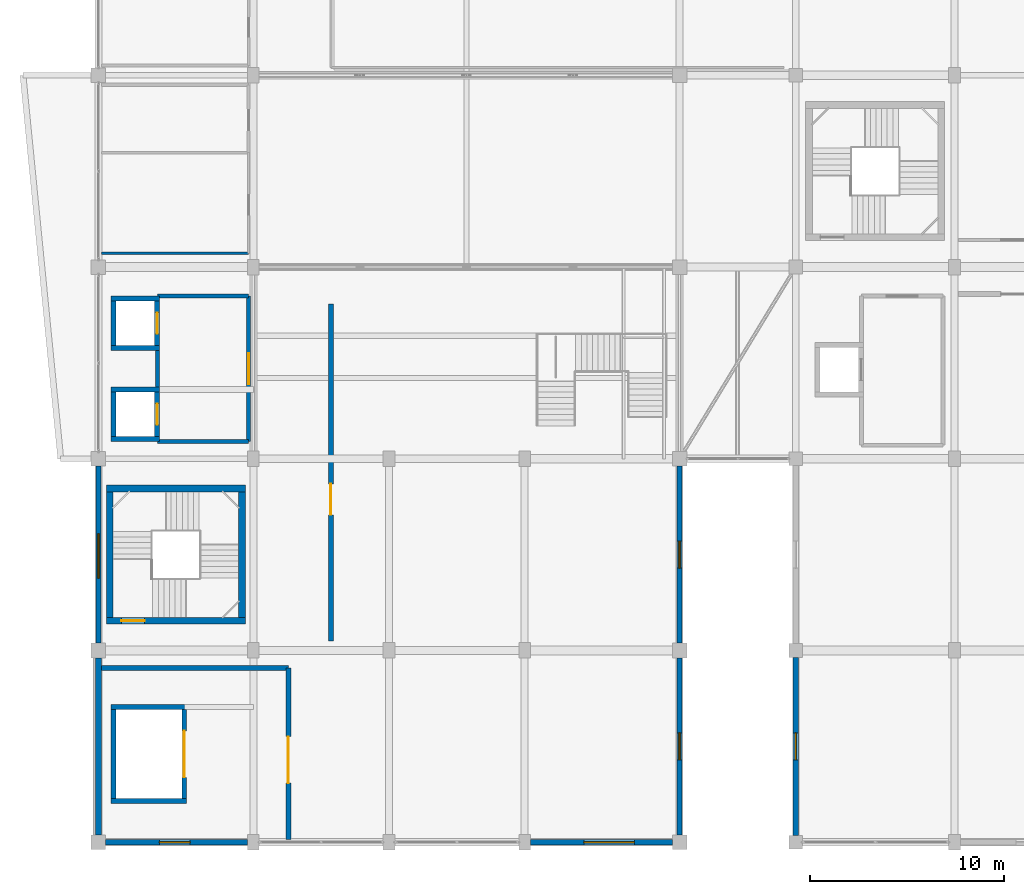
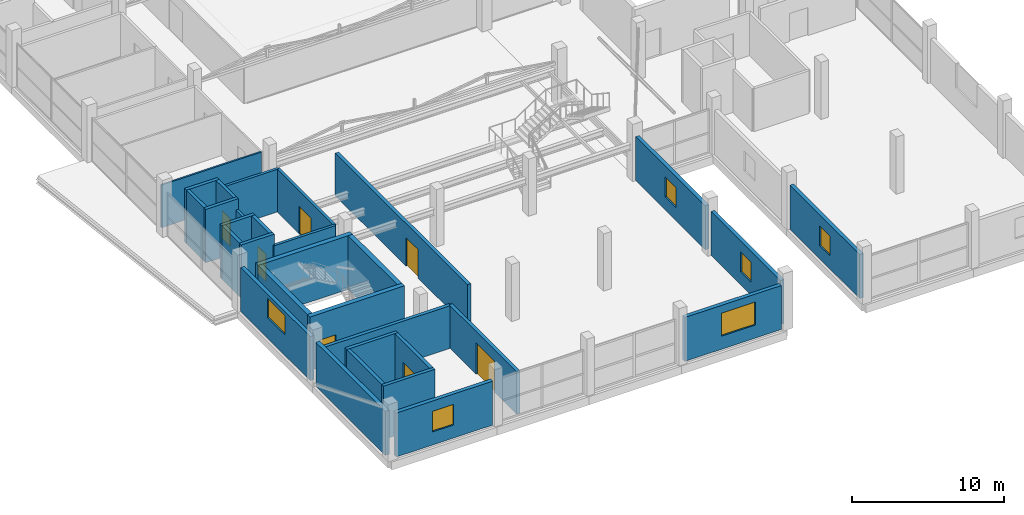
# One storey, part 41 of 55: 31 walls, 7 doors, 6 windows, 13 openings.
"""IFC4 building model written with IfcOpenShell, lengths in metres."""

from ifc_helpers import new_model, si_unit, direction, frame, frame_2d, origin, place, context, subcontext, project, spatial, rectangle, extrude, material, layer, layer_set, type_object, element, fill, save


model = new_model("IFC4")

# Units and contexts
model_context = context("Model", 3, precision=1e-05, world=origin(), true_north=direction((0.0, 1.0)))
body_context = subcontext(model_context, "Body", "Model", "MODEL_VIEW")
ifc_project = project(units=[si_unit("LENGTHUNIT", "METRE"), si_unit("AREAUNIT", "SQUARE_METRE"), si_unit("VOLUMEUNIT", "CUBIC_METRE"), si_unit("PLANEANGLEUNIT", "RADIAN"), si_unit("MASSUNIT", "GRAM", prefix="KILO")], contexts=[model_context])

# Site, building, storey
site_placement = place(None, origin())
site = spatial("IfcSite", under=ifc_project, at=site_placement, CompositionType="ELEMENT")
building_placement = place(site_placement, origin())
building = spatial("IfcBuilding", under=site, at=building_placement, Name="Sillaruma Civic Art Gallery", CompositionType="ELEMENT")
storey_placement = place(building_placement, frame((0.0, 0.0, 37.739990234375)))
storey = spatial("IfcBuildingStorey", under=building, at=storey_placement, Name="L07", CompositionType="ELEMENT", Elevation=37.739990234375)

# Wall, opening, door
ifc_material_1 = material(Name="Concrete H40 (40 MPa)", Category="concrete")
ifc_layer_1 = layer(ifc_material_1, 0.35009765625, Name="Concrete H40 (40 MPa)")
ifc_layer_set_1 = layer_set([ifc_layer_1], Name="Concrete H40 (40 MPa)")
wall_type_1 = type_object("IfcWallType", Name="WAL-CORE-350", PredefinedType="SHEAR", material=ifc_layer_set_1)
wall_1_placement = place(storey_placement, frame((62.409912109375, 31.235107421875, 0.0), z_axis=(0.0, 0.0, 1.0), x_axis=(1.0, 0.0, 0.0)))
wall_1 = element("IfcWall", 1, at=wall_1_placement, inside=storey, type_object=wall_type_1, Name="Stair Core Shear Wall W-CORE-350 (ST-03:L07:S)", PredefinedType="SHEAR", context=body_context, shape_type="SweptSolid", body=[
    extrude(rectangle(XDim=7.18017578125, YDim=0.35009765625, at=frame_2d((3.590087890625, 0.0))), origin(), (0.0, 0.0, 1.0), 4.31005859375),
])
opening_1_placement = place(wall_1_placement, frame((0.77001953125, 0.0, 0.0)))
opening_1 = element("IfcOpeningElement", 2, at=opening_1_placement, cuts=wall_1, Name="Opening D-STAIR", PredefinedType="OPENING", context=body_context, shape_type="SweptSolid", body=[
    extrude(rectangle(XDim=1.199951171875, YDim=2.199951171875, at=frame_2d((0.60009765625, 1.10009765625))), frame((0.0, 0.18505859375, 0.0), z_axis=(0.0, -1.0, 0.0), x_axis=(1.0, 0.0, 0.0)), (0.0, 0.0, 1.0), 0.3701171875),
])
ifc_material_2 = material(Name="Galvanised Steel ASTM A653 Gr.50", Category="steel")
door_type_1 = type_object("IfcDoorType", Name="DOR-STAIR-120", OperationType="NOTDEFINED", PredefinedType="DOOR", material=ifc_material_2)
door_1_placement = place(opening_1_placement, origin())
door_1 = element("IfcDoor", 3, at=door_1_placement, inside=storey, type_object=door_type_1, Name="Protected Stair Fire Door (ST-03:L07)", OperationType="SINGLE_SWING_LEFT", OverallHeight=2.199951171875, OverallWidth=1.199951171875, PredefinedType="DOOR", context=body_context, shape_type="SweptSolid", body=[
    extrude(rectangle(XDim=1.199951171875, YDim=2.199951171875, at=frame_2d((0.60009765625, 1.10009765625))), frame((0.0, 0.02490234375, 0.0), z_axis=(0.0, -1.0, 0.0), x_axis=(1.0, 0.0, 0.0)), (0.0, 0.0, 1.0), 0.050048828125),
])
fill(opening_1, door_1)

# Walls
wall_2_placement = place(storey_placement, frame((62.409912109375, 38.06494140625, 0.0), z_axis=(0.0, 0.0, 1.0), x_axis=(1.0, 0.0, 0.0)))
element("IfcWall", 4, at=wall_2_placement, inside=storey, type_object=wall_type_1, Name="Stair Core Shear Wall W-CORE-350 (ST-03:L07:N)", PredefinedType="SHEAR", context=body_context, shape_type="SweptSolid", body=[
    extrude(rectangle(XDim=7.18017578125, YDim=0.35009765625, at=frame_2d((3.590087890625, 0.0))), origin(), (0.0, 0.0, 1.0), 4.31005859375),
])
for number, where, z_axis, x_axis, name in (
    (5, (62.5849609375, 31.409912109375, 0.0), (0.0, 0.0, 1.0), (0.0, 1.0, 0.0), "Stair Core Shear Wall W-CORE-350 (ST-03:L07:W)"),
    (6, (69.4150390625, 31.409912109375, 0.0), (0.0, 0.0, 1.0), (0.0, 1.0, 0.0), "Stair Core Shear Wall W-CORE-350 (ST-03:L07:E)"),
):
    element("IfcWall", number, at=place(storey_placement, frame(where, z_axis=z_axis, x_axis=x_axis)), inside=storey, type_object=wall_type_1, Name=name, PredefinedType="SHEAR", context=body_context, shape_type="SweptSolid", body=[
        extrude(rectangle(XDim=6.47998046875, YDim=0.35009765625, at=frame_2d((3.239990234375, 0.0))), origin(), (0.0, 0.0, 1.0), 4.31005859375),
    ])

# Wall, opening, window
ifc_material_3 = material(Name="Concrete H35 (35 MPa)", Category="concrete")
ifc_layer_2 = layer(ifc_material_3, 0.159912109375, Name="Concrete backup", Category="concrete")
ifc_material_4 = material(Name="Mineral Wool Thermal Insulation", Category="insulation")
ifc_layer_3 = layer(ifc_material_4, 0.090087890625, Name="Thermal insulation", Category="insulation")
ifc_material_5 = material(Name="Anodised Zinc-Aluminium Alloy", Category="aluminium")
ifc_layer_4 = layer(ifc_material_5, 0.030029296875, Name="Rainscreen finish", Category="aluminium")
ifc_layer_set_2 = layer_set([ifc_layer_2, ifc_layer_3, ifc_layer_4], Name="W-EXT-280")
wall_type_2 = type_object("IfcWallType", Name="WAL-EXT-280", PredefinedType="SOLIDWALL", material=ifc_layer_set_2)
wall_3_placement = place(storey_placement, frame((62.0, 30.074951171875, 0.0), z_axis=(0.0, 0.0, 1.0), x_axis=(0.0, 1.0, 0.0)))
wall_3 = element("IfcWall", 7, at=wall_3_placement, inside=storey, type_object=wall_type_2, Name="Exterior Wall W-EXT-280 (EW-L07-W-2)", PredefinedType="SOLIDWALL", context=body_context, shape_type="SweptSolid", body=[
    extrude(rectangle(XDim=9.150146484375, YDim=0.280029296875, at=frame_2d((4.5751953125, 0.0))), origin(), (0.0, 0.0, 1.0), 3.530029296875),
])
opening_2_placement = place(wall_3_placement, frame((3.35009765625, 0.0, 1.64990234375)))
opening_2 = element("IfcOpeningElement", 8, at=opening_2_placement, cuts=wall_3, Name="Opening WN-12", PredefinedType="OPENING", context=body_context, shape_type="SweptSolid", body=[
    extrude(rectangle(XDim=2.300048828125, YDim=1.550048828125, at=frame_2d((1.14990234375, 0.77490234375))), frame((0.0, 0.14990234375, 0.0), z_axis=(0.0, -1.0, 0.0), x_axis=(1.0, 0.0, 0.0)), (0.0, 0.0, 1.0), 0.300048828125),
])
ifc_material_6 = material(Name="Thermally Broken Extruded Aluminium 6063-T6", Category="aluminium")
window_type_1 = type_object("IfcWindowType", Name="WIN-W12", PartitioningType="SINGLE_PANEL", PredefinedType="WINDOW", material=ifc_material_6)
window_1_placement = place(opening_2_placement, origin())
window_1 = element("IfcWindow", 9, at=window_1_placement, inside=storey, type_object=window_type_1, Name="Window WN-12 (EW-L07-W-2-1)", OverallHeight=1.550048828125, OverallWidth=2.300048828125, PartitioningType="SINGLE_PANEL", PredefinedType="WINDOW", context=body_context, shape_type="SweptSolid", body=[
    extrude(rectangle(XDim=2.300048828125, YDim=1.550048828125, at=frame_2d((1.14990234375, 0.77490234375))), frame((0.0, 0.030029296875, 0.0), z_axis=(0.0, -1.0, 0.0), x_axis=(1.0, 0.0, 0.0)), (0.0, 0.0, 1.0), 0.06005859375),
])
fill(opening_2, window_1)

wall_4_placement = place(storey_placement, frame((92.0, 20.175048828125, 0.0), z_axis=(0.0, 0.0, 1.0), x_axis=(0.0, 1.0, 0.0)))
wall_4 = element("IfcWall", 10, at=wall_4_placement, inside=storey, type_object=wall_type_2, Name="Exterior Wall W-EXT-280 (EW-L07-CYN-W1)", PredefinedType="SOLIDWALL", context=body_context, shape_type="SweptSolid", body=[
    extrude(rectangle(XDim=9.14990234375, YDim=0.280029296875, at=frame_2d((4.574951171875, 0.0))), origin(), (0.0, 0.0, 1.0), 3.530029296875),
])
opening_3_placement = place(wall_4_placement, frame((3.875, 0.0, 1.050048828125)))
opening_3 = element("IfcOpeningElement", 11, at=opening_3_placement, cuts=wall_4, Name="Opening WN-06", PredefinedType="OPENING", context=body_context, shape_type="SweptSolid", body=[
    extrude(rectangle(XDim=1.39990234375, YDim=1.60009765625, at=frame_2d((0.699951171875, 0.800048828125))), frame((0.0, 0.14990234375, 0.0), z_axis=(0.0, -1.0, 0.0), x_axis=(1.0, 0.0, 0.0)), (0.0, 0.0, 1.0), 0.300048828125),
])
window_type_2 = type_object("IfcWindowType", Name="WIN-W06", PartitioningType="SINGLE_PANEL", PredefinedType="WINDOW", material=ifc_material_6)
window_2_placement = place(opening_3_placement, origin())
window_2 = element("IfcWindow", 12, at=window_2_placement, inside=storey, type_object=window_type_2, Name="Window WN-06 (EW-L07-CYN-W1-1)", OverallHeight=1.60009765625, OverallWidth=1.39990234375, PartitioningType="SINGLE_PANEL", PredefinedType="WINDOW", context=body_context, shape_type="SweptSolid", body=[
    extrude(rectangle(XDim=1.39990234375, YDim=1.60009765625, at=frame_2d((0.699951171875, 0.800048828125))), frame((0.0, 0.030029296875, 0.0), z_axis=(0.0, -1.0, 0.0), x_axis=(1.0, 0.0, 0.0)), (0.0, 0.0, 1.0), 0.06005859375),
])
fill(opening_3, window_2)

wall_5_placement = place(storey_placement, frame((98.0, 20.14990234375, 0.0), z_axis=(0.0, 0.0, 1.0), x_axis=(0.0, 1.0, 0.0)))
wall_5 = element("IfcWall", 13, at=wall_5_placement, inside=storey, type_object=wall_type_2, Name="Exterior Wall W-EXT-280 (EW-L07-CYN-E1)", PredefinedType="SOLIDWALL", context=body_context, shape_type="SweptSolid", body=[
    extrude(rectangle(XDim=9.2001953125, YDim=0.280029296875, at=frame_2d((4.60009765625, 0.0))), origin(), (0.0, 0.0, 1.0), 3.530029296875),
])
opening_4_placement = place(wall_5_placement, frame((3.89990234375, 0.0, 1.050048828125)))
opening_4 = element("IfcOpeningElement", 14, at=opening_4_placement, cuts=wall_5, Name="Opening WN-06", PredefinedType="OPENING", context=body_context, shape_type="SweptSolid", body=[
    extrude(rectangle(XDim=1.39990234375, YDim=1.60009765625, at=frame_2d((0.699951171875, 0.800048828125))), frame((0.0, 0.14990234375, 0.0), z_axis=(0.0, -1.0, 0.0), x_axis=(1.0, 0.0, 0.0)), (0.0, 0.0, 1.0), 0.300048828125),
])
window_3_placement = place(opening_4_placement, origin())
window_3 = element("IfcWindow", 15, at=window_3_placement, inside=storey, type_object=window_type_2, Name="Window WN-06 (EW-L07-CYN-E1-1)", OverallHeight=1.60009765625, OverallWidth=1.39990234375, PartitioningType="SINGLE_PANEL", PredefinedType="WINDOW", context=body_context, shape_type="SweptSolid", body=[
    extrude(rectangle(XDim=1.39990234375, YDim=1.60009765625, at=frame_2d((0.699951171875, 0.800048828125))), frame((0.0, 0.030029296875, 0.0), z_axis=(0.0, -1.0, 0.0), x_axis=(1.0, 0.0, 0.0)), (0.0, 0.0, 1.0), 0.06005859375),
])
fill(opening_4, window_3)

wall_6_placement = place(storey_placement, frame((92.0, 30.074951171875, 0.0), z_axis=(0.0, 0.0, 1.0), x_axis=(0.0, 1.0, 0.0)))
wall_6 = element("IfcWall", 16, at=wall_6_placement, inside=storey, type_object=wall_type_2, Name="Exterior Wall W-EXT-280 (EW-L07-CYN-W2)", PredefinedType="SOLIDWALL", context=body_context, shape_type="SweptSolid", body=[
    extrude(rectangle(XDim=9.150146484375, YDim=0.280029296875, at=frame_2d((4.5751953125, 0.0))), origin(), (0.0, 0.0, 1.0), 3.530029296875),
])
opening_5_placement = place(wall_6_placement, frame((3.875, 0.0, 1.050048828125)))
opening_5 = element("IfcOpeningElement", 17, at=opening_5_placement, cuts=wall_6, Name="Opening WN-06", PredefinedType="OPENING", context=body_context, shape_type="SweptSolid", body=[
    extrude(rectangle(XDim=1.39990234375, YDim=1.60009765625, at=frame_2d((0.699951171875, 0.800048828125))), frame((0.0, 0.14990234375, 0.0), z_axis=(0.0, -1.0, 0.0), x_axis=(1.0, 0.0, 0.0)), (0.0, 0.0, 1.0), 0.300048828125),
])
window_4_placement = place(opening_5_placement, origin())
window_4 = element("IfcWindow", 18, at=window_4_placement, inside=storey, type_object=window_type_2, Name="Window WN-06 (EW-L07-CYN-W2-1)", OverallHeight=1.60009765625, OverallWidth=1.39990234375, PartitioningType="SINGLE_PANEL", PredefinedType="WINDOW", context=body_context, shape_type="SweptSolid", body=[
    extrude(rectangle(XDim=1.39990234375, YDim=1.60009765625, at=frame_2d((0.699951171875, 0.800048828125))), frame((0.0, 0.030029296875, 0.0), z_axis=(0.0, -1.0, 0.0), x_axis=(1.0, 0.0, 0.0)), (0.0, 0.0, 1.0), 0.06005859375),
])
fill(opening_5, window_4)

ifc_layer_5 = layer(ifc_material_3, 0.169921875, Name="Concrete backup", Category="concrete")
ifc_layer_6 = layer(ifc_material_4, 0.090087890625, Name="Thermal insulation", Category="insulation")
ifc_layer_7 = layer(ifc_material_5, 0.030029296875, Name="Rainscreen finish", Category="aluminium")
ifc_layer_set_3 = layer_set([ifc_layer_5, ifc_layer_6, ifc_layer_7], Name="W-EXT-290")
wall_type_3 = type_object("IfcWallType", Name="WAL-EXT-290", PredefinedType="SOLIDWALL", material=ifc_layer_set_3)
wall_7_placement = place(storey_placement, frame((62.375, 19.800048828125, 0.0), z_axis=(0.0, 0.0, 1.0), x_axis=(1.0, 0.0, 0.0)))
wall_7 = element("IfcWall", 19, at=wall_7_placement, inside=storey, type_object=wall_type_3, Name="Exterior Wall W-EXT-290 (EW-L07-S-1)", PredefinedType="SOLIDWALL", context=body_context, shape_type="SweptSolid", body=[
    extrude(rectangle(XDim=7.324951171875, YDim=0.2900390625, at=frame_2d((3.66259765625, 0.0))), origin(), (0.0, 0.0, 1.0), 3.530029296875),
])
opening_6_placement = place(wall_7_placement, frame((2.762939453125, 0.0, 1.050048828125)))
opening_6 = element("IfcOpeningElement", 20, at=opening_6_placement, cuts=wall_7, Name="Opening WN-05", PredefinedType="OPENING", context=body_context, shape_type="SweptSolid", body=[
    extrude(rectangle(XDim=1.60009765625, YDim=1.64990234375, at=frame_2d((0.800048828125, 0.824951171875))), frame((0.0, 0.155029296875, 0.0), z_axis=(0.0, -1.0, 0.0), x_axis=(1.0, 0.0, 0.0)), (0.0, 0.0, 1.0), 0.31005859375),
])
window_type_3 = type_object("IfcWindowType", Name="WIN-W05", PartitioningType="SINGLE_PANEL", PredefinedType="WINDOW", material=ifc_material_6)
window_5_placement = place(opening_6_placement, origin())
window_5 = element("IfcWindow", 21, at=window_5_placement, inside=storey, type_object=window_type_3, Name="Window WN-05 (EW-L07-S-1-1)", OverallHeight=1.64990234375, OverallWidth=1.60009765625, PartitioningType="SINGLE_PANEL", PredefinedType="WINDOW", context=body_context, shape_type="SweptSolid", body=[
    extrude(rectangle(XDim=1.60009765625, YDim=1.64990234375, at=frame_2d((0.800048828125, 0.824951171875))), frame((0.0, 0.030029296875, 0.0), z_axis=(0.0, -1.0, 0.0), x_axis=(1.0, 0.0, 0.0)), (0.0, 0.0, 1.0), 0.06005859375),
])
fill(opening_6, window_5)

wall_8_placement = place(storey_placement, frame((84.300048828125, 19.800048828125, 0.0), z_axis=(0.0, 0.0, 1.0), x_axis=(1.0, 0.0, 0.0)))
wall_8 = element("IfcWall", 22, at=wall_8_placement, inside=storey, type_object=wall_type_3, Name="Exterior Wall W-EXT-290 (EW-L07-S-4)", PredefinedType="SOLIDWALL", context=body_context, shape_type="SweptSolid", body=[
    extrude(rectangle(XDim=7.324951171875, YDim=0.2900390625, at=frame_2d((3.66259765625, 0.0))), origin(), (0.0, 0.0, 1.0), 3.530029296875),
])
opening_7_placement = place(wall_8_placement, frame((2.762939453125, 0.0, 1.050048828125)))
opening_7 = element("IfcOpeningElement", 23, at=opening_7_placement, cuts=wall_8, Name="Opening WN-08", PredefinedType="OPENING", context=body_context, shape_type="SweptSolid", body=[
    extrude(rectangle(XDim=2.60009765625, YDim=1.85009765625, at=frame_2d((1.300048828125, 0.925048828125))), frame((0.0, 0.155029296875, 0.0), z_axis=(0.0, -1.0, 0.0), x_axis=(1.0, 0.0, 0.0)), (0.0, 0.0, 1.0), 0.31005859375),
])
window_type_4 = type_object("IfcWindowType", Name="WIN-W08", PartitioningType="SINGLE_PANEL", PredefinedType="WINDOW", material=ifc_material_6)
window_6_placement = place(opening_7_placement, origin())
window_6 = element("IfcWindow", 24, at=window_6_placement, inside=storey, type_object=window_type_4, Name="Window WN-08 (EW-L07-S-4-1)", OverallHeight=1.85009765625, OverallWidth=2.60009765625, PartitioningType="SINGLE_PANEL", PredefinedType="WINDOW", context=body_context, shape_type="SweptSolid", body=[
    extrude(rectangle(XDim=2.60009765625, YDim=1.85009765625, at=frame_2d((1.300048828125, 0.925048828125))), frame((0.0, 0.030029296875, 0.0), z_axis=(0.0, -1.0, 0.0), x_axis=(1.0, 0.0, 0.0)), (0.0, 0.0, 1.0), 0.06005859375),
])
fill(opening_7, window_6)

# Walls
ifc_material_7 = material(Name="Precast Concrete H35 (35 MPa)", Category="concrete")
ifc_layer_8 = layer(ifc_material_7, 0.179931640625, Name="Precast backup", Category="concrete")
ifc_layer_9 = layer(ifc_material_4, 0.090087890625, Name="Thermal insulation", Category="insulation")
ifc_material_8 = material(Name="Comanche Granitic Ashlar Stone", Category="masonry")
ifc_layer_10 = layer(ifc_material_8, 0.030029296875, Name="Rainscreen cladding", Category="masonry")
ifc_layer_set_4 = layer_set([ifc_layer_8, ifc_layer_9, ifc_layer_10], Name="W-EXT-300")
wall_type_4 = type_object("IfcWallType", Name="WAL-EXT-300", PredefinedType="SOLIDWALL", material=ifc_layer_set_4)
wall_9_placement = place(storey_placement, frame((62.0, 20.175048828125, 0.0), z_axis=(0.0, 0.0, 1.0), x_axis=(0.0, 1.0, 0.0)))
element("IfcWall", 25, at=wall_9_placement, inside=storey, type_object=wall_type_4, Name="Exterior Wall W-EXT-300 (EW-L07-W-1)", PredefinedType="SOLIDWALL", context=body_context, shape_type="SweptSolid", body=[
    extrude(rectangle(XDim=9.14990234375, YDim=0.300048828125, at=frame_2d((4.574951171875, 0.0))), origin(), (0.0, 0.0, 1.0), 3.530029296875),
])
ifc_material_9 = material(Name="Concrete Masonry Unit Grade M15", Category="masonry")
ifc_layer_11 = layer(ifc_material_9, 0.199951171875, Name="Concrete Masonry Unit Grade M15")
ifc_layer_set_5 = layer_set([ifc_layer_11], Name="Concrete Masonry Unit Grade M15")
wall_type_5 = type_object("IfcWallType", Name="WAL-LOBBY-200", PredefinedType="SOLIDWALL", material=ifc_layer_set_5)
for number, where, z_axis, x_axis, name in (
    (26, (65.050048828125, 40.5, 0.0), (0.0, 0.0, 1.0), (1.0, 0.0, 0.0), "Interior Wall W-LOBBY-200 (L07-LLW)"),
    (27, (65.050048828125, 48.0, 0.0), (0.0, 0.0, 1.0), (1.0, 0.0, 0.0), "Interior Wall W-LOBBY-200 (L07-LLW)"),
):
    element("IfcWall", number, at=place(storey_placement, frame(where, z_axis=z_axis, x_axis=x_axis)), inside=storey, type_object=wall_type_5, Name=name, PredefinedType="SOLIDWALL", context=body_context, shape_type="SweptSolid", body=[
        extrude(rectangle(XDim=4.699951171875, YDim=0.199951171875, at=frame_2d((2.35009765625, 0.0))), origin(), (0.0, 0.0, 1.0), 3.429931640625),
    ])
wall_10_placement = place(storey_placement, frame((65.050048828125, 43.300048828125, 0.0), z_axis=(0.0, 0.0, 1.0), x_axis=(0.0, 1.0, 0.0)))
element("IfcWall", 28, at=wall_10_placement, inside=storey, type_object=wall_type_5, Name="Interior Wall W-LOBBY-200 (L07-LLW)", PredefinedType="SOLIDWALL", context=body_context, shape_type="SweptSolid", body=[
    extrude(rectangle(XDim=1.89990234375, YDim=0.199951171875, at=frame_2d((0.949951171875, 0.0))), origin(), (0.0, 0.0, 1.0), 3.429931640625),
])

# Wall, opening, door
wall_11_placement = place(storey_placement, frame((69.75, 40.5, 0.0), z_axis=(0.0, 0.0, 1.0), x_axis=(0.0, 1.0, 0.0)))
wall_11 = element("IfcWall", 29, at=wall_11_placement, inside=storey, type_object=wall_type_5, Name="Interior Wall W-LOBBY-200 (L07-LLW)", PredefinedType="SOLIDWALL", context=body_context, shape_type="SweptSolid", body=[
    extrude(rectangle(XDim=7.5, YDim=0.199951171875, at=frame_2d((3.75, 0.0))), origin(), (0.0, 0.0, 1.0), 3.429931640625),
])
opening_8_placement = place(wall_11_placement, frame((2.949951171875, 0.0, 0.0)))
opening_8 = element("IfcOpeningElement", 30, at=opening_8_placement, cuts=wall_11, Name="Opening D-LOBBY", PredefinedType="OPENING", context=body_context, shape_type="SweptSolid", body=[
    extrude(rectangle(XDim=1.60009765625, YDim=2.199951171875, at=frame_2d((0.800048828125, 1.10009765625))), frame((0.0, 0.10986328125, 0.0), z_axis=(0.0, -1.0, 0.0), x_axis=(1.0, 0.0, 0.0)), (0.0, 0.0, 1.0), 0.219970703125),
])
door_type_2 = type_object("IfcDoorType", Name="DOR-LOBBY-160", OperationType="NOTDEFINED", PredefinedType="DOOR", material=ifc_material_6)
door_2_placement = place(opening_8_placement, origin())
door_2 = element("IfcDoor", 31, at=door_2_placement, inside=storey, type_object=door_type_2, Name="West Lift Lobby Door (D-LOBBY)", OperationType="DOUBLE_DOOR_SINGLE_SWING", OverallHeight=2.199951171875, OverallWidth=1.60009765625, PredefinedType="DOOR", context=body_context, shape_type="SweptSolid", body=[
    extrude(rectangle(XDim=1.60009765625, YDim=2.199951171875, at=frame_2d((0.800048828125, 1.10009765625))), frame((0.0, 0.02490234375, 0.0), z_axis=(0.0, -1.0, 0.0), x_axis=(1.0, 0.0, 0.0)), (0.0, 0.0, 1.0), 0.050048828125),
])
fill(opening_8, door_2)

# Walls
ifc_material_10 = material(Name="Gypsum Acoustic Board", Category="gypsum")
ifc_layer_12 = layer(ifc_material_10, 0.02490234375, Name="Finish board", Category="gypsum")
ifc_layer_13 = layer(ifc_material_4, 0.080078125, Name="Acoustic core", Category="insulation")
ifc_material_11 = material(Name="Andean Oak Timber", Category="wood")
ifc_layer_14 = layer(ifc_material_11, 0.02490234375, Name="Gallery lining", Category="wood")
ifc_layer_set_6 = layer_set([ifc_layer_12, ifc_layer_13, ifc_layer_14], Name="W-PT-130")
wall_type_6 = type_object("IfcWallType", Name="WAL-PART-130", PredefinedType="PARTITIONING", material=ifc_layer_set_6)
wall_12_placement = place(storey_placement, frame((62.14990234375, 50.199951171875, 0.0), z_axis=(0.0, 0.0, 1.0), x_axis=(1.0, 0.0, 0.0)))
element("IfcWall", 32, at=wall_12_placement, inside=storey, type_object=wall_type_6, Name="Interior Wall W-PT-130 (L07-WC1)", PredefinedType="PARTITIONING", context=body_context, shape_type="SweptSolid", body=[
    extrude(rectangle(XDim=7.60009765625, YDim=0.1298828125, at=frame_2d((3.800048828125, 0.0))), origin(), (0.0, 0.0, 1.0), 3.429931640625),
])
ifc_layer_15 = layer(ifc_material_1, 0.25, Name="Concrete H40 (40 MPa)")
ifc_layer_set_7 = layer_set([ifc_layer_15], Name="Concrete H40 (40 MPa)")
wall_type_7 = type_object("IfcWallType", Name="WAL-SHAFT-250", PredefinedType="SOLIDWALL", material=ifc_layer_set_7)
for number, where, z_axis, x_axis, name in (
    (33, (62.64990234375, 40.625, 0.0), (0.0, 0.0, 1.0), (1.0, 0.0, 0.0), "Lift Shaft Wall W-SHAFT-250 (PL-01:L07:S)"),
    (34, (62.64990234375, 43.175048828125, 0.0), (0.0, 0.0, 1.0), (1.0, 0.0, 0.0), "Lift Shaft Wall W-SHAFT-250 (PL-01:L07:N)"),
):
    element("IfcWall", number, at=place(storey_placement, frame(where, z_axis=z_axis, x_axis=x_axis)), inside=storey, type_object=wall_type_7, Name=name, PredefinedType="SOLIDWALL", context=body_context, shape_type="SweptSolid", body=[
        extrude(rectangle(XDim=2.5, YDim=0.25, at=frame_2d((1.25, 0.0))), origin(), (0.0, 0.0, 1.0), 4.2900390625),
    ])
wall_13_placement = place(storey_placement, frame((62.77490234375, 40.75, 0.0), z_axis=(0.0, 0.0, 1.0), x_axis=(0.0, 1.0, 0.0)))
element("IfcWall", 35, at=wall_13_placement, inside=storey, type_object=wall_type_7, Name="Lift Shaft Wall W-SHAFT-250 (PL-01:L07:W)", PredefinedType="SOLIDWALL", context=body_context, shape_type="SweptSolid", body=[
    extrude(rectangle(XDim=2.300048828125, YDim=0.25, at=frame_2d((1.14990234375, 0.0))), origin(), (0.0, 0.0, 1.0), 4.2900390625),
])

# Wall, opening, door
wall_14_placement = place(storey_placement, frame((65.02490234375, 40.75, 0.0), z_axis=(0.0, 0.0, 1.0), x_axis=(0.0, 1.0, 0.0)))
wall_14 = element("IfcWall", 36, at=wall_14_placement, inside=storey, type_object=wall_type_7, Name="Lift Shaft Wall W-SHAFT-250 (PL-01:L07:E)", PredefinedType="SOLIDWALL", context=body_context, shape_type="SweptSolid", body=[
    extrude(rectangle(XDim=2.300048828125, YDim=0.25, at=frame_2d((1.14990234375, 0.0))), origin(), (0.0, 0.0, 1.0), 4.2900390625),
])
opening_9_placement = place(wall_14_placement, frame((0.60009765625, 0.0, 0.0)))
opening_9 = element("IfcOpeningElement", 37, at=opening_9_placement, cuts=wall_14, Name="Opening LD-01", PredefinedType="OPENING", context=body_context, shape_type="SweptSolid", body=[
    extrude(rectangle(XDim=1.10009765625, YDim=2.199951171875, at=frame_2d((0.550048828125, 1.10009765625))), frame((0.0, 0.135009765625, 0.0), z_axis=(0.0, -1.0, 0.0), x_axis=(1.0, 0.0, 0.0)), (0.0, 0.0, 1.0), 0.27001953125),
])
door_type_3 = type_object("IfcDoorType", Name="DOR-LD-01", OperationType="NOTDEFINED", PredefinedType="DOOR", material=ifc_material_2)
door_3_placement = place(opening_9_placement, origin())
door_3 = element("IfcDoor", 38, at=door_3_placement, inside=storey, type_object=door_type_3, Name="Lift Sliding Landing Door LD-01 (PL-01:L07)", OperationType="DOUBLE_DOOR_SLIDING", OverallHeight=2.199951171875, OverallWidth=1.10009765625, PredefinedType="DOOR", context=body_context, shape_type="SweptSolid", body=[
    extrude(rectangle(XDim=1.10009765625, YDim=2.199951171875, at=frame_2d((0.550048828125, 1.10009765625))), frame((0.0, 0.02490234375, 0.0), z_axis=(0.0, -1.0, 0.0), x_axis=(1.0, 0.0, 0.0)), (0.0, 0.0, 1.0), 0.050048828125),
])
fill(opening_9, door_3)

# Walls
for number, where, z_axis, x_axis, name in (
    (39, (62.64990234375, 45.324951171875, 0.0), (0.0, 0.0, 1.0), (1.0, 0.0, 0.0), "Lift Shaft Wall W-SHAFT-250 (PL-02:L07:S)"),
    (40, (62.64990234375, 47.875, 0.0), (0.0, 0.0, 1.0), (1.0, 0.0, 0.0), "Lift Shaft Wall W-SHAFT-250 (PL-02:L07:N)"),
):
    element("IfcWall", number, at=place(storey_placement, frame(where, z_axis=z_axis, x_axis=x_axis)), inside=storey, type_object=wall_type_7, Name=name, PredefinedType="SOLIDWALL", context=body_context, shape_type="SweptSolid", body=[
        extrude(rectangle(XDim=2.5, YDim=0.25, at=frame_2d((1.25, 0.0))), origin(), (0.0, 0.0, 1.0), 4.2900390625),
    ])
wall_15_placement = place(storey_placement, frame((62.77490234375, 45.449951171875, 0.0), z_axis=(0.0, 0.0, 1.0), x_axis=(0.0, 1.0, 0.0)))
element("IfcWall", 41, at=wall_15_placement, inside=storey, type_object=wall_type_7, Name="Lift Shaft Wall W-SHAFT-250 (PL-02:L07:W)", PredefinedType="SOLIDWALL", context=body_context, shape_type="SweptSolid", body=[
    extrude(rectangle(XDim=2.300048828125, YDim=0.25, at=frame_2d((1.14990234375, 0.0))), origin(), (0.0, 0.0, 1.0), 4.2900390625),
])

# Wall, opening, door
wall_16_placement = place(storey_placement, frame((65.02490234375, 45.449951171875, 0.0), z_axis=(0.0, 0.0, 1.0), x_axis=(0.0, 1.0, 0.0)))
wall_16 = element("IfcWall", 42, at=wall_16_placement, inside=storey, type_object=wall_type_7, Name="Lift Shaft Wall W-SHAFT-250 (PL-02:L07:E)", PredefinedType="SOLIDWALL", context=body_context, shape_type="SweptSolid", body=[
    extrude(rectangle(XDim=2.300048828125, YDim=0.25, at=frame_2d((1.14990234375, 0.0))), origin(), (0.0, 0.0, 1.0), 4.2900390625),
])
opening_10_placement = place(wall_16_placement, frame((0.60009765625, 0.0, 0.0)))
opening_10 = element("IfcOpeningElement", 43, at=opening_10_placement, cuts=wall_16, Name="Opening LD-01", PredefinedType="OPENING", context=body_context, shape_type="SweptSolid", body=[
    extrude(rectangle(XDim=1.10009765625, YDim=2.199951171875, at=frame_2d((0.550048828125, 1.10009765625))), frame((0.0, 0.135009765625, 0.0), z_axis=(0.0, -1.0, 0.0), x_axis=(1.0, 0.0, 0.0)), (0.0, 0.0, 1.0), 0.27001953125),
])
door_4_placement = place(opening_10_placement, origin())
door_4 = element("IfcDoor", 44, at=door_4_placement, inside=storey, type_object=door_type_3, Name="Lift Sliding Landing Door LD-01 (PL-02:L07)", OperationType="DOUBLE_DOOR_SLIDING", OverallHeight=2.199951171875, OverallWidth=1.10009765625, PredefinedType="DOOR", context=body_context, shape_type="SweptSolid", body=[
    extrude(rectangle(XDim=1.10009765625, YDim=2.199951171875, at=frame_2d((0.550048828125, 1.10009765625))), frame((0.0, 0.02490234375, 0.0), z_axis=(0.0, -1.0, 0.0), x_axis=(1.0, 0.0, 0.0)), (0.0, 0.0, 1.0), 0.050048828125),
])
fill(opening_10, door_4)

# Walls
for number, where, z_axis, x_axis, name in (
    (45, (62.64990234375, 21.925048828125, 0.0), (0.0, 0.0, 1.0), (1.0, 0.0, 0.0), "Lift Shaft Wall W-SHAFT-250 (GL-01:L07:S)"),
    (46, (62.64990234375, 26.77490234375, 0.0), (0.0, 0.0, 1.0), (1.0, 0.0, 0.0), "Lift Shaft Wall W-SHAFT-250 (GL-01:L07:N)"),
):
    element("IfcWall", number, at=place(storey_placement, frame(where, z_axis=z_axis, x_axis=x_axis)), inside=storey, type_object=wall_type_7, Name=name, PredefinedType="SOLIDWALL", context=body_context, shape_type="SweptSolid", body=[
        extrude(rectangle(XDim=3.900146484375, YDim=0.25, at=frame_2d((1.9501953125, 0.0))), origin(), (0.0, 0.0, 1.0), 4.2900390625),
    ])
wall_17_placement = place(storey_placement, frame((62.77490234375, 22.050048828125, 0.0), z_axis=(0.0, 0.0, 1.0), x_axis=(0.0, 1.0, 0.0)))
element("IfcWall", 47, at=wall_17_placement, inside=storey, type_object=wall_type_7, Name="Lift Shaft Wall W-SHAFT-250 (GL-01:L07:W)", PredefinedType="SOLIDWALL", context=body_context, shape_type="SweptSolid", body=[
    extrude(rectangle(XDim=4.599853515625, YDim=0.25, at=frame_2d((2.2998046875, 0.0))), origin(), (0.0, 0.0, 1.0), 4.2900390625),
])

# Wall, opening, door
wall_18_placement = place(storey_placement, frame((66.425048828125, 22.050048828125, 0.0), z_axis=(0.0, 0.0, 1.0), x_axis=(0.0, 1.0, 0.0)))
wall_18 = element("IfcWall", 48, at=wall_18_placement, inside=storey, type_object=wall_type_7, Name="Lift Shaft Wall W-SHAFT-250 (GL-01:L07:E)", PredefinedType="SOLIDWALL", context=body_context, shape_type="SweptSolid", body=[
    extrude(rectangle(XDim=4.599853515625, YDim=0.25, at=frame_2d((2.2998046875, 0.0))), origin(), (0.0, 0.0, 1.0), 4.2900390625),
])
opening_11_placement = place(wall_18_placement, frame((1.10009765625, 0.0, 0.0)))
opening_11 = element("IfcOpeningElement", 49, at=opening_11_placement, cuts=wall_18, Name="Opening LD-03", PredefinedType="OPENING", context=body_context, shape_type="SweptSolid", body=[
    extrude(rectangle(XDim=2.39990234375, YDim=2.64990234375, at=frame_2d((1.199951171875, 1.324951171875))), frame((0.0, 0.135009765625, 0.0), z_axis=(0.0, -1.0, 0.0), x_axis=(1.0, 0.0, 0.0)), (0.0, 0.0, 1.0), 0.27001953125),
])
door_type_4 = type_object("IfcDoorType", Name="DOR-LD-03", OperationType="NOTDEFINED", PredefinedType="DOOR", material=ifc_material_2)
door_5_placement = place(opening_11_placement, origin())
door_5 = element("IfcDoor", 50, at=door_5_placement, inside=storey, type_object=door_type_4, Name="Lift Sliding Landing Door LD-03 (GL-01:L07)", OperationType="DOUBLE_DOOR_SLIDING", OverallHeight=2.64990234375, OverallWidth=2.39990234375, PredefinedType="DOOR", context=body_context, shape_type="SweptSolid", body=[
    extrude(rectangle(XDim=2.39990234375, YDim=2.64990234375, at=frame_2d((1.199951171875, 1.324951171875))), frame((0.0, 0.02490234375, 0.0), z_axis=(0.0, -1.0, 0.0), x_axis=(1.0, 0.0, 0.0)), (0.0, 0.0, 1.0), 0.050048828125),
])
fill(opening_11, door_5)

# Wall
ifc_layer_16 = layer(ifc_material_9, 0.2548828125, Name="Concrete Masonry Unit Grade M15")
ifc_layer_set_8 = layer_set([ifc_layer_16], Name="Concrete Masonry Unit Grade M15")
wall_type_8 = type_object("IfcWallType", Name="WAL-STORE-250", PredefinedType="SOLIDWALL", material=ifc_layer_set_8)
wall_19_placement = place(storey_placement, frame((62.14990234375, 28.800048828125, 0.0), z_axis=(0.0, 0.0, 1.0), x_axis=(1.0, 0.0, 0.0)))
element("IfcWall", 51, at=wall_19_placement, inside=storey, type_object=wall_type_8, Name="Interior Wall W-STORE-250 (L07-AIR)", PredefinedType="SOLIDWALL", context=body_context, shape_type="SweptSolid", body=[
    extrude(rectangle(XDim=9.650146484375, YDim=0.2548828125, at=frame_2d((4.8251953125, 0.0))), origin(), (0.0, 0.0, 1.0), 3.429931640625),
])

# Wall, opening, door
wall_20_placement = place(storey_placement, frame((71.800048828125, 19.949951171875, 0.0), z_axis=(0.0, 0.0, 1.0), x_axis=(0.0, 1.0, 0.0)))
wall_20 = element("IfcWall", 52, at=wall_20_placement, inside=storey, type_object=wall_type_8, Name="Interior Wall W-STORE-250 (L07-AIR)", PredefinedType="SOLIDWALL", context=body_context, shape_type="SweptSolid", body=[
    extrude(rectangle(XDim=8.85009765625, YDim=0.2548828125, at=frame_2d((4.425048828125, 0.0))), origin(), (0.0, 0.0, 1.0), 3.429931640625),
])
opening_12_placement = place(wall_20_placement, frame((2.89990234375, 0.0, 0.0)))
opening_12 = element("IfcOpeningElement", 53, at=opening_12_placement, cuts=wall_20, Name="Opening D-STR24", PredefinedType="OPENING", context=body_context, shape_type="SweptSolid", body=[
    extrude(rectangle(XDim=2.39990234375, YDim=2.5, at=frame_2d((1.199951171875, 1.25))), frame((0.0, 0.137451171875, 0.0), z_axis=(0.0, -1.0, 0.0), x_axis=(1.0, 0.0, 0.0)), (0.0, 0.0, 1.0), 0.27490234375),
])
door_type_5 = type_object("IfcDoorType", Name="DOR-STORE-240", OperationType="NOTDEFINED", PredefinedType="DOOR", material=ifc_material_2)
door_6_placement = place(opening_12_placement, origin())
door_6 = element("IfcDoor", 54, at=door_6_placement, inside=storey, type_object=door_type_5, Name="Crate Airlock Door (D-STR24)", OperationType="DOUBLE_DOOR_SINGLE_SWING", OverallHeight=2.5, OverallWidth=2.39990234375, PredefinedType="DOOR", context=body_context, shape_type="SweptSolid", body=[
    extrude(rectangle(XDim=2.39990234375, YDim=2.5, at=frame_2d((1.199951171875, 1.25))), frame((0.0, 0.02490234375, 0.0), z_axis=(0.0, -1.0, 0.0), x_axis=(1.0, 0.0, 0.0)), (0.0, 0.0, 1.0), 0.050048828125),
])
fill(opening_12, door_6)

wall_21_placement = place(storey_placement, frame((74.0, 30.199951171875, 0.0), z_axis=(0.0, 0.0, 1.0), x_axis=(0.0, 1.0, 0.0)))
wall_21 = element("IfcWall", 55, at=wall_21_placement, inside=storey, type_object=wall_type_8, Name="Interior Wall W-STORE-250 (L07-STR71)", PredefinedType="SOLIDWALL", context=body_context, shape_type="SweptSolid", body=[
    extrude(rectangle(XDim=17.400146484375, YDim=0.2548828125, at=frame_2d((8.7001953125, 0.0))), origin(), (0.0, 0.0, 1.0), 3.429931640625),
])
opening_13_placement = place(wall_21_placement, frame((6.5, 0.0, 0.0)))
opening_13 = element("IfcOpeningElement", 56, at=opening_13_placement, cuts=wall_21, Name="Opening D-STR16", PredefinedType="OPENING", context=body_context, shape_type="SweptSolid", body=[
    extrude(rectangle(XDim=1.60009765625, YDim=2.300048828125, at=frame_2d((0.800048828125, 1.14990234375))), frame((0.0, 0.137451171875, 0.0), z_axis=(0.0, -1.0, 0.0), x_axis=(1.0, 0.0, 0.0)), (0.0, 0.0, 1.0), 0.27490234375),
])
door_type_6 = type_object("IfcDoorType", Name="DOR-STORE-160", OperationType="NOTDEFINED", PredefinedType="DOOR", material=ifc_material_2)
door_7_placement = place(opening_13_placement, origin())
door_7 = element("IfcDoor", 57, at=door_7_placement, inside=storey, type_object=door_type_6, Name="South-West Spine Art Store Door (D-STR16)", OperationType="DOUBLE_DOOR_SINGLE_SWING", OverallHeight=2.300048828125, OverallWidth=1.60009765625, PredefinedType="DOOR", context=body_context, shape_type="SweptSolid", body=[
    extrude(rectangle(XDim=1.60009765625, YDim=2.300048828125, at=frame_2d((0.800048828125, 1.14990234375))), frame((0.0, 0.02490234375, 0.0), z_axis=(0.0, -1.0, 0.0), x_axis=(1.0, 0.0, 0.0)), (0.0, 0.0, 1.0), 0.050048828125),
])
fill(opening_13, door_7)

save(model, "model.ifc")
